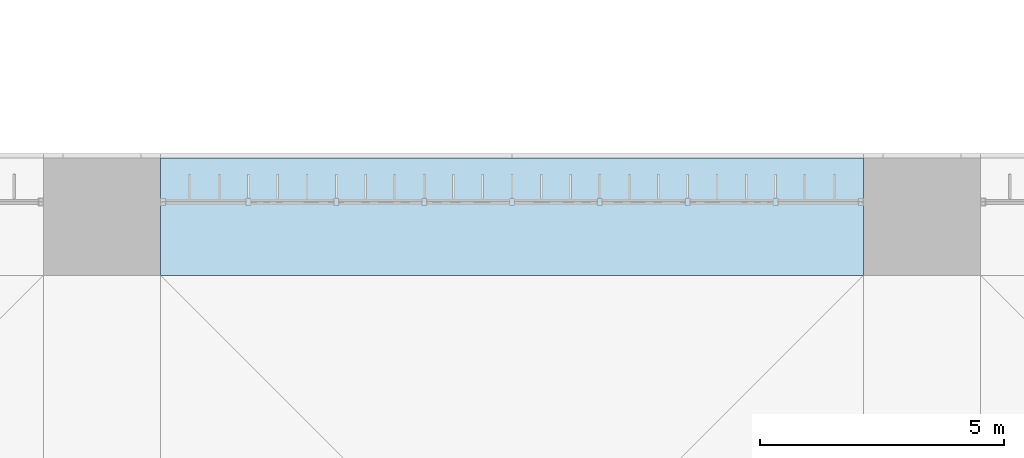
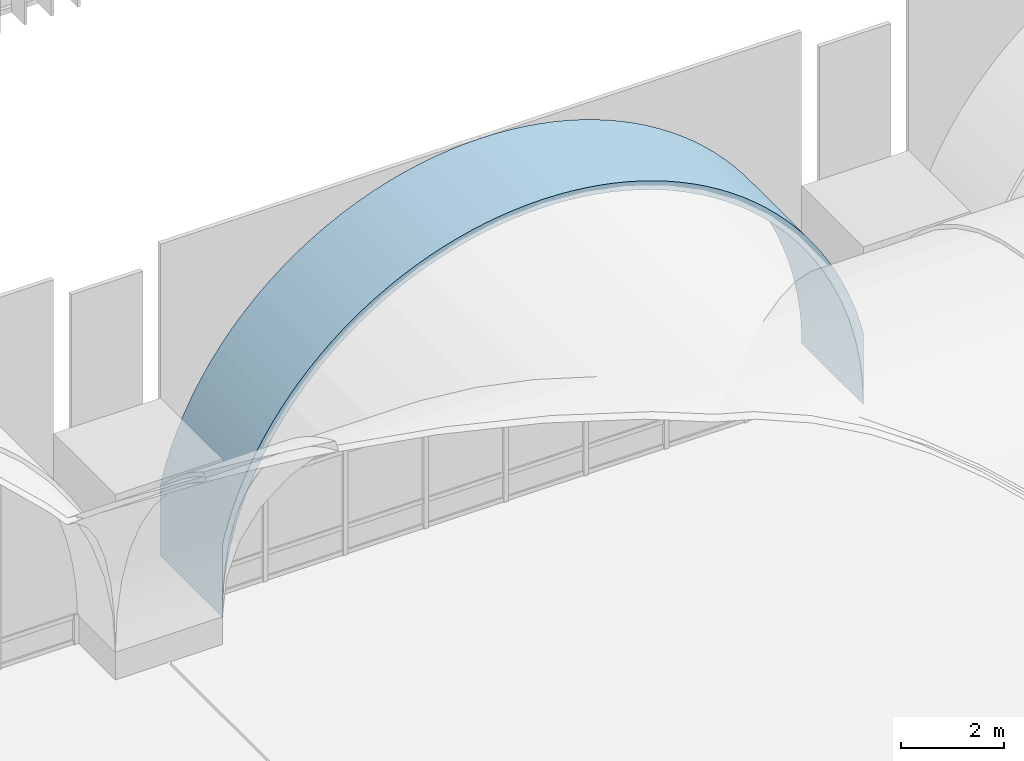
# One storey, part 139 of 169: 1 roof.
"""IFC4 building model written with IfcOpenShell, lengths in metres."""

from ifc_helpers import new_model, si_unit, direction, frame, origin, place, context, subcontext, project, spatial, polygons, material, layer, layer_set, type_object, element, save


model = new_model("IFC4")

# Units and contexts
model_context = context("Model", 3, precision=1e-05, world=origin(), true_north=direction((0.0, 1.0)))
body_context = subcontext(model_context, "Body", "Model", "MODEL_VIEW")
ifc_project = project(units=[si_unit("LENGTHUNIT", "METRE"), si_unit("AREAUNIT", "SQUARE_METRE"), si_unit("VOLUMEUNIT", "CUBIC_METRE"), si_unit("PLANEANGLEUNIT", "RADIAN"), si_unit("MASSUNIT", "GRAM", prefix="KILO")], contexts=[model_context])

# Site, building, storey
site_placement = place(None, origin())
site = spatial("IfcSite", under=ifc_project, at=site_placement, CompositionType="ELEMENT")
building_placement = place(site_placement, origin())
building = spatial("IfcBuilding", under=site, at=building_placement, Name="Verrick Yard Athletic Hall", CompositionType="ELEMENT")
storey_placement = place(building_placement, frame((0.0, 0.0, 4.39990234375)))
storey = spatial("IfcBuildingStorey", under=building, at=storey_placement, Name="L01", CompositionType="ELEMENT", Elevation=4.39990234375)

# Roof
ifc_material = material(Name="Concrete 35 MPa", Category="concrete")
ifc_layer = layer(ifc_material, 0.199951171875)
ifc_layer_set = layer_set([ifc_layer], Name="Arch rib 200")
roof_type = type_object("IfcRoofType", Name="Arch rib 200", PredefinedType="BARREL_ROOF", material=ifc_layer_set)
roof_placement = place(storey_placement, origin())
element("IfcRoof", 1, at=roof_placement, inside=storey, type_object=roof_type, Name="Vault rib N6", PredefinedType="BARREL_ROOF", context=body_context, shape_type="Tessellation", body=[
    polygons([(125.199951171875, 51.60009765625, 2.352294921875), (125.199951171875, 51.60009765625, 0.650146484375), (125.206787109375, 51.60009765625, 0.964111328125), (125.227294921875, 51.60009765625, 1.277587890625), (125.26171875, 51.60009765625, 1.58984375), (125.309326171875, 51.60009765625, 1.900390625), (125.37060546875, 51.60009765625, 2.20849609375), (125.4453125, 51.60009765625, 2.513671875), (125.533203125, 51.60009765625, 2.815185546875), (125.63427734375, 51.60009765625, 3.112548828125), (125.748046875, 51.60009765625, 3.405517578125), (125.87451171875, 51.60009765625, 3.693115234375), (126.013427734375, 51.60009765625, 3.974609375), (126.16455078125, 51.60009765625, 4.25), (126.32763671875, 51.60009765625, 4.518798828125), (126.502197265625, 51.60009765625, 4.77978515625), (126.68798828125, 51.60009765625, 5.033203125), (126.884521484375, 51.60009765625, 5.278076171875), (127.091552734375, 51.60009765625, 5.514404296875), (127.308837890625, 51.60009765625, 5.7412109375), (127.535888671875, 51.60009765625, 5.95849609375), (127.77197265625, 51.60009765625, 6.16552734375), (128.016845703125, 51.60009765625, 6.3623046875), (128.270263671875, 51.60009765625, 6.548095703125), (128.531494140625, 51.60009765625, 6.722412109375), (128.800048828125, 51.60009765625, 6.885498046875), (129.075439453125, 51.60009765625, 7.03662109375), (129.357177734375, 51.60009765625, 7.175537109375), (129.644775390625, 51.60009765625, 7.302001953125), (129.9375, 51.60009765625, 7.416015625), (130.23486328125, 51.60009765625, 7.516845703125), (130.53662109375, 51.60009765625, 7.604736328125), (130.841552734375, 51.60009765625, 7.679443359375), (131.149658203125, 51.60009765625, 7.74072265625), (131.460205078125, 51.60009765625, 7.78857421875), (131.7724609375, 51.60009765625, 7.82275390625), (132.0859375, 51.60009765625, 7.84326171875), (132.39990234375, 51.60009765625, 7.85009765625), (132.714111328125, 51.60009765625, 7.84326171875), (133.027587890625, 51.60009765625, 7.82275390625), (133.33984375, 51.60009765625, 7.78857421875), (133.650390625, 51.60009765625, 7.74072265625), (133.95849609375, 51.60009765625, 7.679443359375), (134.263427734375, 51.60009765625, 7.604736328125), (134.565185546875, 51.60009765625, 7.516845703125), (134.862548828125, 51.60009765625, 7.416015625), (135.1552734375, 51.60009765625, 7.302001953125), (135.44287109375, 51.60009765625, 7.175537109375), (135.724609375, 51.60009765625, 7.03662109375), (136.0, 51.60009765625, 6.885498046875), (136.2685546875, 51.60009765625, 6.722412109375), (136.52978515625, 51.60009765625, 6.548095703125), (136.783203125, 51.60009765625, 6.3623046875), (137.028076171875, 51.60009765625, 6.16552734375), (137.26416015625, 51.60009765625, 5.95849609375), (137.4912109375, 51.60009765625, 5.7412109375), (137.70849609375, 51.60009765625, 5.514404296875), (137.91552734375, 51.60009765625, 5.278076171875), (138.112060546875, 51.60009765625, 5.033203125), (138.2978515625, 51.60009765625, 4.77978515625), (138.472412109375, 51.60009765625, 4.518798828125), (138.635498046875, 51.60009765625, 4.25), (138.78662109375, 51.60009765625, 3.974609375), (138.92529296875, 51.60009765625, 3.693115234375), (139.052001953125, 51.60009765625, 3.405517578125), (139.165771484375, 51.60009765625, 3.112548828125), (139.266845703125, 51.60009765625, 2.815185546875), (139.354736328125, 51.60009765625, 2.513671875), (139.42919921875, 51.60009765625, 2.20849609375), (139.490478515625, 51.60009765625, 1.900390625), (139.538330078125, 51.60009765625, 1.58984375), (139.572509765625, 51.60009765625, 1.277587890625), (139.593017578125, 51.60009765625, 0.964111328125), (139.60009765625, 51.60009765625, 0.650146484375), (139.60009765625, 51.60009765625, 2.352294921875), (139.5478515625, 51.60009765625, 2.5654296875), (139.45751953125, 51.60009765625, 2.875244140625), (139.353759765625, 51.60009765625, 3.180908203125), (139.23681640625, 51.60009765625, 3.48193359375), (139.106689453125, 51.60009765625, 3.777587890625), (138.9638671875, 51.60009765625, 4.06689453125), (138.80859375, 51.60009765625, 4.35009765625), (138.64111328125, 51.60009765625, 4.6259765625), (138.461669921875, 51.60009765625, 4.89453125), (138.270751953125, 51.60009765625, 5.15478515625), (138.068603515625, 51.60009765625, 5.40673828125), (137.85595703125, 51.60009765625, 5.6494140625), (137.632568359375, 51.60009765625, 5.8828125), (137.3994140625, 51.60009765625, 6.10595703125), (137.156494140625, 51.60009765625, 6.31884765625), (136.90478515625, 51.60009765625, 6.52099609375), (136.64453125, 51.60009765625, 6.7119140625), (136.3759765625, 51.60009765625, 6.89111328125), (136.10009765625, 51.60009765625, 7.05859375), (135.81689453125, 51.60009765625, 7.214111328125), (135.52734375, 51.60009765625, 7.356689453125), (135.23193359375, 51.60009765625, 7.48681640625), (134.930908203125, 51.60009765625, 7.603759765625), (134.625244140625, 51.60009765625, 7.70751953125), (134.315185546875, 51.60009765625, 7.798095703125), (134.001708984375, 51.60009765625, 7.874755859375), (133.68505859375, 51.60009765625, 7.937744140625), (133.365966796875, 51.60009765625, 7.98681640625), (133.044921875, 51.60009765625, 8.02197265625), (132.722900390625, 51.60009765625, 8.043212890625), (132.39990234375, 51.60009765625, 8.050048828125), (132.0771484375, 51.60009765625, 8.043212890625), (131.7548828125, 51.60009765625, 8.02197265625), (131.43408203125, 51.60009765625, 7.98681640625), (131.114990234375, 51.60009765625, 7.937744140625), (130.79833984375, 51.60009765625, 7.874755859375), (130.484619140625, 51.60009765625, 7.798095703125), (130.1748046875, 51.60009765625, 7.70751953125), (129.869140625, 51.60009765625, 7.603759765625), (129.568115234375, 51.60009765625, 7.48681640625), (129.272705078125, 51.60009765625, 7.356689453125), (128.983154296875, 51.60009765625, 7.214111328125), (128.699951171875, 51.60009765625, 7.05859375), (128.424072265625, 51.60009765625, 6.89111328125), (128.155517578125, 51.60009765625, 6.7119140625), (127.895263671875, 51.60009765625, 6.52099609375), (127.643310546875, 51.60009765625, 6.31884765625), (127.400634765625, 51.60009765625, 6.10595703125), (127.16748046875, 51.60009765625, 5.8828125), (126.944091796875, 51.60009765625, 5.6494140625), (126.731201171875, 51.60009765625, 5.40673828125), (126.529296875, 51.60009765625, 5.15478515625), (126.33837890625, 51.60009765625, 4.89453125), (126.158935546875, 51.60009765625, 4.6259765625), (125.991455078125, 51.60009765625, 4.35009765625), (125.836181640625, 51.60009765625, 4.06689453125), (125.693359375, 51.60009765625, 3.777587890625), (125.563232421875, 51.60009765625, 3.48193359375), (125.4462890625, 51.60009765625, 3.180908203125), (125.342529296875, 51.60009765625, 2.875244140625), (125.252197265625, 51.60009765625, 2.5654296875), (125.199951171875, 54.0, 2.352294921875), (125.199951171875, 54.0, 0.650146484375), (125.206787109375, 54.0, 0.964111328125), (125.227294921875, 54.0, 1.277587890625), (125.26171875, 54.0, 1.58984375), (125.309326171875, 54.0, 1.900390625), (125.37060546875, 54.0, 2.20849609375), (125.4453125, 54.0, 2.513671875), (125.533203125, 54.0, 2.815185546875), (125.63427734375, 54.0, 3.112548828125), (125.748046875, 54.0, 3.405517578125), (125.87451171875, 54.0, 3.693115234375), (126.013427734375, 54.0, 3.974609375), (126.16455078125, 54.0, 4.25), (126.32763671875, 54.0, 4.518798828125), (126.502197265625, 54.0, 4.77978515625), (126.68798828125, 54.0, 5.033203125), (126.884521484375, 54.0, 5.278076171875), (127.091552734375, 54.0, 5.514404296875), (127.308837890625, 54.0, 5.7412109375), (127.535888671875, 54.0, 5.95849609375), (127.77197265625, 54.0, 6.16552734375), (128.016845703125, 54.0, 6.3623046875), (128.270263671875, 54.0, 6.548095703125), (128.531494140625, 54.0, 6.722412109375), (128.800048828125, 54.0, 6.885498046875), (129.075439453125, 54.0, 7.03662109375), (129.357177734375, 54.0, 7.175537109375), (129.644775390625, 54.0, 7.302001953125), (129.9375, 54.0, 7.416015625), (130.23486328125, 54.0, 7.516845703125), (130.53662109375, 54.0, 7.604736328125), (130.841552734375, 54.0, 7.679443359375), (131.149658203125, 54.0, 7.74072265625), (131.460205078125, 54.0, 7.78857421875), (131.7724609375, 54.0, 7.82275390625), (132.0859375, 54.0, 7.84326171875), (132.39990234375, 54.0, 7.85009765625), (132.714111328125, 54.0, 7.84326171875), (133.027587890625, 54.0, 7.82275390625), (133.33984375, 54.0, 7.78857421875), (133.650390625, 54.0, 7.74072265625), (133.95849609375, 54.0, 7.679443359375), (134.263427734375, 54.0, 7.604736328125), (134.565185546875, 54.0, 7.516845703125), (134.862548828125, 54.0, 7.416015625), (135.1552734375, 54.0, 7.302001953125), (135.44287109375, 54.0, 7.175537109375), (135.724609375, 54.0, 7.03662109375), (136.0, 54.0, 6.885498046875), (136.2685546875, 54.0, 6.722412109375), (136.52978515625, 54.0, 6.548095703125), (136.783203125, 54.0, 6.3623046875), (137.028076171875, 54.0, 6.16552734375), (137.26416015625, 54.0, 5.95849609375), (137.4912109375, 54.0, 5.7412109375), (137.70849609375, 54.0, 5.514404296875), (137.91552734375, 54.0, 5.278076171875), (138.112060546875, 54.0, 5.033203125), (138.2978515625, 54.0, 4.77978515625), (138.472412109375, 54.0, 4.518798828125), (138.635498046875, 54.0, 4.25), (138.78662109375, 54.0, 3.974609375), (138.92529296875, 54.0, 3.693115234375), (139.052001953125, 54.0, 3.405517578125), (139.165771484375, 54.0, 3.112548828125), (139.266845703125, 54.0, 2.815185546875), (139.354736328125, 54.0, 2.513671875), (139.42919921875, 54.0, 2.20849609375), (139.490478515625, 54.0, 1.900390625), (139.538330078125, 54.0, 1.58984375), (139.572509765625, 54.0, 1.277587890625), (139.593017578125, 54.0, 0.964111328125), (139.60009765625, 54.0, 0.650146484375), (139.60009765625, 54.0, 2.352294921875), (139.5478515625, 54.0, 2.5654296875), (139.45751953125, 54.0, 2.875244140625), (139.353759765625, 54.0, 3.180908203125), (139.23681640625, 54.0, 3.48193359375), (139.106689453125, 54.0, 3.777587890625), (138.9638671875, 54.0, 4.06689453125), (138.80859375, 54.0, 4.35009765625), (138.64111328125, 54.0, 4.6259765625), (138.461669921875, 54.0, 4.89453125), (138.270751953125, 54.0, 5.15478515625), (138.068603515625, 54.0, 5.40673828125), (137.85595703125, 54.0, 5.6494140625), (137.632568359375, 54.0, 5.8828125), (137.3994140625, 54.0, 6.10595703125), (137.156494140625, 54.0, 6.31884765625), (136.90478515625, 54.0, 6.52099609375), (136.64453125, 54.0, 6.7119140625), (136.3759765625, 54.0, 6.89111328125), (136.10009765625, 54.0, 7.05859375), (135.81689453125, 54.0, 7.214111328125), (135.52734375, 54.0, 7.356689453125), (135.23193359375, 54.0, 7.48681640625), (134.930908203125, 54.0, 7.603759765625), (134.625244140625, 54.0, 7.70751953125), (134.315185546875, 54.0, 7.798095703125), (134.001708984375, 54.0, 7.874755859375), (133.68505859375, 54.0, 7.937744140625), (133.365966796875, 54.0, 7.98681640625), (133.044921875, 54.0, 8.02197265625), (132.722900390625, 54.0, 8.043212890625), (132.39990234375, 54.0, 8.050048828125), (132.0771484375, 54.0, 8.043212890625), (131.7548828125, 54.0, 8.02197265625), (131.43408203125, 54.0, 7.98681640625), (131.114990234375, 54.0, 7.937744140625), (130.79833984375, 54.0, 7.874755859375), (130.484619140625, 54.0, 7.798095703125), (130.1748046875, 54.0, 7.70751953125), (129.869140625, 54.0, 7.603759765625), (129.568115234375, 54.0, 7.48681640625), (129.272705078125, 54.0, 7.356689453125), (128.983154296875, 54.0, 7.214111328125), (128.699951171875, 54.0, 7.05859375), (128.424072265625, 54.0, 6.89111328125), (128.155517578125, 54.0, 6.7119140625), (127.895263671875, 54.0, 6.52099609375), (127.643310546875, 54.0, 6.31884765625), (127.400634765625, 54.0, 6.10595703125), (127.16748046875, 54.0, 5.8828125), (126.944091796875, 54.0, 5.6494140625), (126.731201171875, 54.0, 5.40673828125), (126.529296875, 54.0, 5.15478515625), (126.33837890625, 54.0, 4.89453125), (126.158935546875, 54.0, 4.6259765625), (125.991455078125, 54.0, 4.35009765625), (125.836181640625, 54.0, 4.06689453125), (125.693359375, 54.0, 3.777587890625), (125.563232421875, 54.0, 3.48193359375), (125.4462890625, 54.0, 3.180908203125), (125.342529296875, 54.0, 2.875244140625), (125.252197265625, 54.0, 2.5654296875)], [[[1, 2, 3]], [[137, 139, 138]], [[136, 1, 3]], [[272, 139, 137]], [[136, 3, 4]], [[272, 140, 139]], [[136, 4, 5]], [[272, 141, 140]], [[136, 5, 6]], [[272, 142, 141]], [[136, 6, 7]], [[272, 143, 142]], [[136, 7, 8]], [[272, 144, 143]], [[136, 8, 9]], [[272, 145, 144]], [[136, 9, 10]], [[272, 146, 145]], [[136, 10, 11]], [[272, 147, 146]], [[136, 11, 12]], [[272, 148, 147]], [[136, 12, 13]], [[272, 149, 148]], [[73, 74, 75]], [[209, 211, 210]], [[72, 73, 75]], [[208, 211, 209]], [[71, 72, 75]], [[207, 211, 208]], [[70, 71, 75]], [[206, 211, 207]], [[69, 70, 75]], [[205, 211, 206]], [[68, 69, 75]], [[204, 211, 205]], [[67, 68, 75]], [[203, 211, 204]], [[66, 67, 75]], [[202, 211, 203]], [[65, 66, 75]], [[201, 211, 202]], [[64, 65, 75]], [[200, 211, 201]], [[63, 64, 75]], [[199, 211, 200]], [[63, 75, 76]], [[199, 212, 211]], [[63, 76, 77]], [[199, 213, 212]], [[62, 63, 77]], [[198, 213, 199]], [[62, 77, 78]], [[198, 214, 213]], [[61, 62, 78]], [[197, 214, 198]], [[61, 78, 79]], [[197, 215, 214]], [[60, 61, 79]], [[196, 215, 197]], [[60, 79, 80]], [[196, 216, 215]], [[59, 60, 80]], [[195, 216, 196]], [[59, 80, 81]], [[195, 217, 216]], [[58, 59, 81]], [[194, 217, 195]], [[58, 81, 82]], [[194, 218, 217]], [[57, 58, 82]], [[193, 218, 194]], [[57, 82, 83]], [[193, 219, 218]], [[56, 57, 83]], [[192, 219, 193]], [[56, 83, 84]], [[192, 220, 219]], [[55, 56, 84]], [[191, 220, 192]], [[55, 84, 85]], [[191, 221, 220]], [[54, 55, 85]], [[190, 221, 191]], [[54, 85, 86]], [[190, 222, 221]], [[53, 54, 86]], [[189, 222, 190]], [[53, 86, 87]], [[189, 223, 222]], [[52, 53, 87]], [[188, 223, 189]], [[52, 87, 88]], [[188, 224, 223]], [[51, 52, 88]], [[187, 224, 188]], [[51, 88, 89]], [[187, 225, 224]], [[50, 51, 89]], [[186, 225, 187]], [[50, 89, 90]], [[186, 226, 225]], [[49, 50, 90]], [[185, 226, 186]], [[49, 90, 91]], [[185, 227, 226]], [[48, 49, 91]], [[184, 227, 185]], [[48, 91, 92]], [[184, 228, 227]], [[47, 48, 92]], [[183, 228, 184]], [[47, 92, 93]], [[183, 229, 228]], [[46, 47, 93]], [[182, 229, 183]], [[46, 93, 94]], [[182, 230, 229]], [[45, 46, 94]], [[181, 230, 182]], [[45, 94, 95]], [[181, 231, 230]], [[44, 45, 95]], [[180, 231, 181]], [[44, 95, 96]], [[180, 232, 231]], [[43, 44, 96]], [[179, 232, 180]], [[43, 96, 97]], [[179, 233, 232]], [[42, 43, 97]], [[178, 233, 179]], [[42, 97, 98]], [[178, 234, 233]], [[41, 42, 98]], [[177, 234, 178]], [[41, 98, 99]], [[177, 235, 234]], [[40, 41, 99]], [[176, 235, 177]], [[40, 99, 100]], [[176, 236, 235]], [[39, 40, 100]], [[175, 236, 176]], [[39, 100, 101]], [[175, 237, 236]], [[38, 39, 101]], [[174, 237, 175]], [[38, 101, 102]], [[174, 238, 237]], [[37, 38, 102]], [[173, 238, 174]], [[37, 102, 103]], [[173, 239, 238]], [[36, 37, 103]], [[172, 239, 173]], [[36, 103, 104]], [[172, 240, 239]], [[35, 36, 104]], [[171, 240, 172]], [[35, 104, 105]], [[171, 241, 240]], [[34, 35, 105]], [[170, 241, 171]], [[34, 105, 106]], [[170, 242, 241]], [[33, 34, 106]], [[169, 242, 170]], [[33, 106, 107]], [[169, 243, 242]], [[32, 33, 107]], [[168, 243, 169]], [[32, 107, 108]], [[168, 244, 243]], [[31, 32, 108]], [[167, 244, 168]], [[31, 108, 109]], [[167, 245, 244]], [[30, 31, 109]], [[166, 245, 167]], [[30, 109, 110]], [[166, 246, 245]], [[29, 30, 110]], [[165, 246, 166]], [[29, 110, 111]], [[165, 247, 246]], [[28, 29, 111]], [[164, 247, 165]], [[28, 111, 112]], [[164, 248, 247]], [[27, 28, 112]], [[163, 248, 164]], [[27, 112, 113]], [[163, 249, 248]], [[26, 27, 113]], [[162, 249, 163]], [[26, 113, 114]], [[162, 250, 249]], [[25, 26, 114]], [[161, 250, 162]], [[25, 114, 115]], [[161, 251, 250]], [[24, 25, 115]], [[160, 251, 161]], [[24, 115, 116]], [[160, 252, 251]], [[23, 24, 116]], [[159, 252, 160]], [[23, 116, 117]], [[159, 253, 252]], [[22, 23, 117]], [[158, 253, 159]], [[22, 117, 118]], [[158, 254, 253]], [[21, 22, 118]], [[157, 254, 158]], [[21, 118, 119]], [[157, 255, 254]], [[20, 21, 119]], [[156, 255, 157]], [[20, 119, 120]], [[156, 256, 255]], [[19, 20, 120]], [[155, 256, 156]], [[19, 120, 121]], [[155, 257, 256]], [[18, 19, 121]], [[154, 257, 155]], [[18, 121, 122]], [[154, 258, 257]], [[17, 18, 122]], [[153, 258, 154]], [[17, 122, 123]], [[153, 259, 258]], [[16, 17, 123]], [[152, 259, 153]], [[16, 123, 124]], [[152, 260, 259]], [[15, 16, 124]], [[151, 260, 152]], [[15, 124, 125]], [[151, 261, 260]], [[14, 15, 125]], [[150, 261, 151]], [[14, 125, 126]], [[150, 262, 261]], [[13, 14, 126]], [[149, 262, 150]], [[136, 13, 126]], [[272, 262, 149]], [[136, 126, 127]], [[272, 263, 262]], [[136, 127, 128]], [[272, 264, 263]], [[136, 128, 129]], [[272, 265, 264]], [[136, 129, 130]], [[272, 266, 265]], [[136, 130, 131]], [[272, 267, 266]], [[136, 131, 132]], [[272, 268, 267]], [[136, 132, 133]], [[272, 269, 268]], [[136, 133, 134]], [[272, 270, 269]], [[134, 135, 136]], [[270, 272, 271]], [[1, 138, 2]], [[1, 137, 138]], [[2, 139, 3]], [[2, 138, 139]], [[3, 140, 4]], [[3, 139, 140]], [[4, 141, 5]], [[4, 140, 141]], [[5, 142, 6]], [[5, 141, 142]], [[6, 143, 7]], [[6, 142, 143]], [[7, 144, 8]], [[7, 143, 144]], [[8, 145, 9]], [[8, 144, 145]], [[9, 146, 10]], [[9, 145, 146]], [[10, 147, 11]], [[10, 146, 147]], [[11, 148, 12]], [[11, 147, 148]], [[12, 149, 13]], [[12, 148, 149]], [[13, 150, 14]], [[13, 149, 150]], [[14, 151, 15]], [[14, 150, 151]], [[15, 152, 16]], [[15, 151, 152]], [[16, 153, 17]], [[16, 152, 153]], [[17, 154, 18]], [[17, 153, 154]], [[18, 155, 19]], [[18, 154, 155]], [[19, 156, 20]], [[19, 155, 156]], [[20, 157, 21]], [[20, 156, 157]], [[21, 158, 22]], [[21, 157, 158]], [[22, 159, 23]], [[22, 158, 159]], [[23, 160, 24]], [[23, 159, 160]], [[24, 161, 25]], [[24, 160, 161]], [[25, 162, 26]], [[25, 161, 162]], [[26, 163, 27]], [[26, 162, 163]], [[27, 164, 28]], [[27, 163, 164]], [[28, 165, 29]], [[28, 164, 165]], [[29, 166, 30]], [[29, 165, 166]], [[30, 167, 31]], [[30, 166, 167]], [[31, 168, 32]], [[31, 167, 168]], [[32, 169, 33]], [[32, 168, 169]], [[33, 170, 34]], [[33, 169, 170]], [[34, 171, 35]], [[34, 170, 171]], [[35, 172, 36]], [[35, 171, 172]], [[36, 173, 37]], [[36, 172, 173]], [[37, 174, 38]], [[37, 173, 174]], [[38, 175, 39]], [[38, 174, 175]], [[39, 176, 40]], [[39, 175, 176]], [[40, 177, 41]], [[40, 176, 177]], [[41, 178, 42]], [[41, 177, 178]], [[42, 179, 43]], [[42, 178, 179]], [[43, 180, 44]], [[43, 179, 180]], [[44, 181, 45]], [[44, 180, 181]], [[45, 182, 46]], [[45, 181, 182]], [[46, 183, 47]], [[46, 182, 183]], [[47, 184, 48]], [[47, 183, 184]], [[48, 185, 49]], [[48, 184, 185]], [[49, 186, 50]], [[49, 185, 186]], [[50, 187, 51]], [[50, 186, 187]], [[51, 188, 52]], [[51, 187, 188]], [[52, 189, 53]], [[52, 188, 189]], [[53, 190, 54]], [[53, 189, 190]], [[54, 191, 55]], [[54, 190, 191]], [[55, 192, 56]], [[55, 191, 192]], [[56, 193, 57]], [[56, 192, 193]], [[57, 194, 58]], [[57, 193, 194]], [[58, 195, 59]], [[58, 194, 195]], [[59, 196, 60]], [[59, 195, 196]], [[60, 197, 61]], [[60, 196, 197]], [[61, 198, 62]], [[61, 197, 198]], [[62, 199, 63]], [[62, 198, 199]], [[63, 200, 64]], [[63, 199, 200]], [[64, 201, 65]], [[64, 200, 201]], [[65, 202, 66]], [[65, 201, 202]], [[66, 203, 67]], [[66, 202, 203]], [[67, 204, 68]], [[67, 203, 204]], [[68, 205, 69]], [[68, 204, 205]], [[69, 206, 70]], [[69, 205, 206]], [[70, 207, 71]], [[70, 206, 207]], [[71, 208, 72]], [[71, 207, 208]], [[72, 209, 73]], [[72, 208, 209]], [[73, 210, 74]], [[73, 209, 210]], [[74, 211, 75]], [[74, 210, 211]], [[75, 212, 76]], [[75, 211, 212]], [[76, 213, 77]], [[76, 212, 213]], [[77, 214, 78]], [[77, 213, 214]], [[78, 215, 79]], [[78, 214, 215]], [[79, 216, 80]], [[79, 215, 216]], [[80, 217, 81]], [[80, 216, 217]], [[81, 218, 82]], [[81, 217, 218]], [[82, 219, 83]], [[82, 218, 219]], [[83, 220, 84]], [[83, 219, 220]], [[84, 221, 85]], [[84, 220, 221]], [[85, 222, 86]], [[85, 221, 222]], [[86, 223, 87]], [[86, 222, 223]], [[87, 224, 88]], [[87, 223, 224]], [[88, 225, 89]], [[88, 224, 225]], [[89, 226, 90]], [[89, 225, 226]], [[90, 227, 91]], [[90, 226, 227]], [[91, 228, 92]], [[91, 227, 228]], [[92, 229, 93]], [[92, 228, 229]], [[93, 230, 94]], [[93, 229, 230]], [[94, 231, 95]], [[94, 230, 231]], [[95, 232, 96]], [[95, 231, 232]], [[96, 233, 97]], [[96, 232, 233]], [[97, 234, 98]], [[97, 233, 234]], [[98, 235, 99]], [[98, 234, 235]], [[99, 236, 100]], [[99, 235, 236]], [[100, 237, 101]], [[100, 236, 237]], [[101, 238, 102]], [[101, 237, 238]], [[102, 239, 103]], [[102, 238, 239]], [[103, 240, 104]], [[103, 239, 240]], [[104, 241, 105]], [[104, 240, 241]], [[105, 242, 106]], [[105, 241, 242]], [[106, 243, 107]], [[106, 242, 243]], [[107, 244, 108]], [[107, 243, 244]], [[108, 245, 109]], [[108, 244, 245]], [[109, 246, 110]], [[109, 245, 246]], [[110, 247, 111]], [[110, 246, 247]], [[111, 248, 112]], [[111, 247, 248]], [[112, 249, 113]], [[112, 248, 249]], [[113, 250, 114]], [[113, 249, 250]], [[114, 251, 115]], [[114, 250, 251]], [[115, 252, 116]], [[115, 251, 252]], [[116, 253, 117]], [[116, 252, 253]], [[117, 254, 118]], [[117, 253, 254]], [[118, 255, 119]], [[118, 254, 255]], [[119, 256, 120]], [[119, 255, 256]], [[120, 257, 121]], [[120, 256, 257]], [[121, 258, 122]], [[121, 257, 258]], [[122, 259, 123]], [[122, 258, 259]], [[123, 260, 124]], [[123, 259, 260]], [[124, 261, 125]], [[124, 260, 261]], [[125, 262, 126]], [[125, 261, 262]], [[126, 263, 127]], [[126, 262, 263]], [[127, 264, 128]], [[127, 263, 264]], [[128, 265, 129]], [[128, 264, 265]], [[129, 266, 130]], [[129, 265, 266]], [[130, 267, 131]], [[130, 266, 267]], [[131, 268, 132]], [[131, 267, 268]], [[132, 269, 133]], [[132, 268, 269]], [[133, 270, 134]], [[133, 269, 270]], [[134, 271, 135]], [[134, 270, 271]], [[135, 272, 136]], [[135, 271, 272]], [[136, 137, 1]], [[136, 272, 137]]], closed=True),
])

save(model, "model.ifc")
